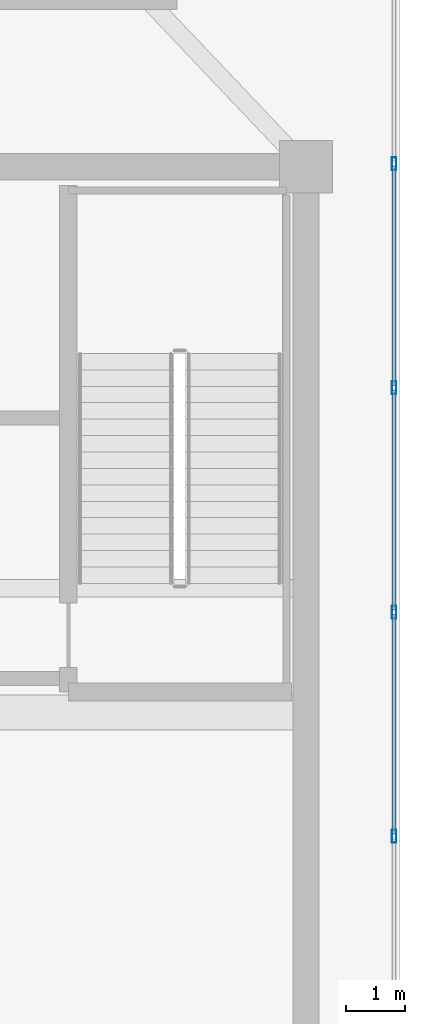
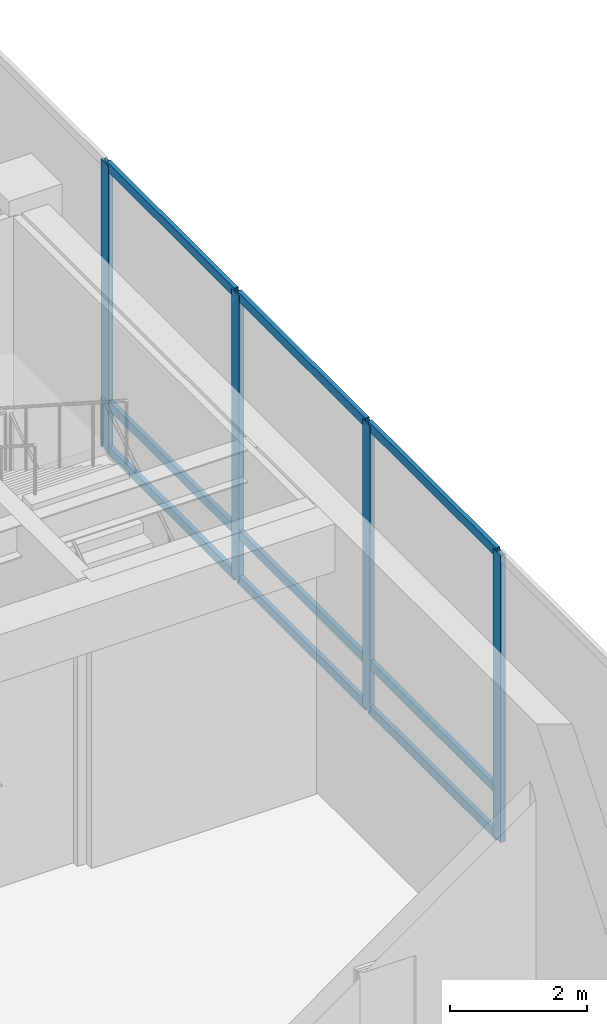
# One storey, part 17 of 30: 13 members, 1 element without a shape of its own.
"""IFC4 building model written with IfcOpenShell, lengths in metres."""

import ifcopenshell
import ifcopenshell.guid

model = None  # the IFC model being written
_history = None  # IfcOwnerHistory: only IFC2X3 demands one
_inside = {}  # id of a spatial element -> (the spatial element, [elements in it])
_under = {}  # id of a project, library or spatial element -> (it, [spatial elements below it])
_declared = {}  # id of a project -> (the project, [libraries it declares])
_typed = {}  # id of a type object -> (the type object, [elements of that type])
_made_of = {}  # id of a material, layer set ... -> (it, [elements and type objects made of it])


def new_model(schema):
    """Start an empty IFC model of exactly this schema.

    Asked for "IFC4X3", IfcOpenShell would pick the latest addendum, in which some entities
    have other attributes; the version numbers below select the first issue.
    IFC2X3 requires an IfcOwnerHistory on every rooted entity: one is made here for all.
    """
    global model, _history
    if schema == "IFC4X3":
        model = ifcopenshell.file(schema_version=(4, 3, 0, 0))
    else:
        model = ifcopenshell.file(schema=schema)
    _inside.clear()
    _under.clear()
    _declared.clear()
    _typed.clear()
    _made_of.clear()
    _history = None
    if model.schema == "IFC2X3":
        org = make("IfcOrganization", Name="unknown")
        user = make(
            "IfcPersonAndOrganization",
            ThePerson=make("IfcPerson", FamilyName="unknown"),
            TheOrganization=org,
        )
        app = make(
            "IfcApplication",
            ApplicationDeveloper=org,
            Version="unknown",
            ApplicationFullName="unknown",
            ApplicationIdentifier="unknown",
        )
        _history = make(
            "IfcOwnerHistory",
            OwningUser=user,
            OwningApplication=app,
            ChangeAction="ADDED",
            CreationDate=0,
        )
    return model


def make(cls, **values):
    """One entity of the class cls with the attributes given. An attribute that is None is left unset."""
    return model.create_entity(
        cls, **{name: value for name, value in values.items() if value is not None}
    )


def rooted(cls, **values):
    """An entity with a GlobalId (a new one), such as an element, a storey or a relation."""
    return make(cls, GlobalId=ifcopenshell.guid.new(), OwnerHistory=_history, **values)


def si_unit(unit_type, name, prefix=None):
    """IfcSIUnit, for example si_unit("LENGTHUNIT", "METRE", prefix="MILLI")."""
    return make("IfcSIUnit", UnitType=unit_type, Prefix=prefix, Name=name)


def assignment(units):
    """IfcUnitAssignment: the units of a project."""
    return None if units is None else make("IfcUnitAssignment", Units=units)


def point(xyz):
    """IfcCartesianPoint."""
    return None if xyz is None else make("IfcCartesianPoint", Coordinates=xyz)


def direction(xyz):
    """IfcDirection."""
    return None if xyz is None else make("IfcDirection", DirectionRatios=xyz)


def frame(location, z_axis=None, x_axis=None):
    """IfcAxis2Placement3D, a coordinate frame: its origin and axes. An axis left out is left unset."""
    return make(
        "IfcAxis2Placement3D",
        Location=point(location),
        Axis=direction(z_axis),
        RefDirection=direction(x_axis),
    )


def frame_2d(location, x_axis=None):
    """IfcAxis2Placement2D, a coordinate frame in the plane: its origin and x axis."""
    return make(
        "IfcAxis2Placement2D", Location=point(location), RefDirection=direction(x_axis)
    )


def origin():
    """The frame at (0, 0, 0) with its axes left unset."""
    return frame((0.0, 0.0, 0.0))


def origin_2d():
    """The frame at (0, 0) in the plane with its x axis left unset."""
    return frame_2d((0.0, 0.0))


def place(relative_to, where):
    """IfcLocalPlacement: puts the frame where relative to a parent placement (None: the world)."""
    return make(
        "IfcLocalPlacement", PlacementRelTo=relative_to, RelativePlacement=where
    )


def context(
    kind, dimensions, precision=None, world=None, true_north=None, identifier=None
):
    """IfcGeometricRepresentationContext, for example the 3D "Model" context."""
    return make(
        "IfcGeometricRepresentationContext",
        ContextIdentifier=identifier,
        ContextType=kind,
        CoordinateSpaceDimension=dimensions,
        Precision=precision,
        WorldCoordinateSystem=world,
        TrueNorth=true_north,
    )


def subcontext(parent, identifier, kind, view, scale=None):
    """IfcGeometricRepresentationSubContext, for example "Body" below "Model"."""
    return make(
        "IfcGeometricRepresentationSubContext",
        ContextIdentifier=identifier,
        ContextType=kind,
        ParentContext=parent,
        TargetScale=scale,
        TargetView=view,
    )


def project(units=None, contexts=None):
    """IfcProject with its units and contexts."""
    return rooted(
        "IfcProject",
        Name="project",
        RepresentationContexts=contexts,
        UnitsInContext=assignment(units),
    )


def spatial(cls, under=None, at=None, **own):
    """A site, building, storey or space (cls), placed at a placement, below another one or the project."""
    s = rooted(cls, ObjectPlacement=at, **own)
    if under is not None:
        _under.setdefault(under.id(), (under, []))[1].append(s)
    return s


def profile(cls, at=None, kind="AREA", **sizes):
    """A parametric profile (cls). Its sizes go by their IFC names, for example OverallWidth=200.0."""
    return make(cls, ProfileType=kind, Position=at, **sizes)


def hollow_rectangle(**sizes):
    """IfcRectangleHollowProfileDef."""
    return profile("IfcRectangleHollowProfileDef", **sizes)


def extrude(swept, where, along, depth):
    """IfcExtrudedAreaSolid: the profile swept, set in the frame where, extruded along a direction by depth."""
    return make(
        "IfcExtrudedAreaSolid",
        SweptArea=swept,
        Position=where,
        ExtrudedDirection=direction(along),
        Depth=depth,
    )


def shape(context_of_items, identifier, shape_type, items):
    """IfcShapeRepresentation: the items that make up one representation, for example the "Body"."""
    return make(
        "IfcShapeRepresentation",
        ContextOfItems=context_of_items,
        RepresentationIdentifier=identifier,
        RepresentationType=shape_type,
        Items=items,
    )


def source(mapping_origin, context_of_items, identifier, shape_type, items):
    """IfcRepresentationMap: a shape defined once, which mapped items show again and again."""
    return make(
        "IfcRepresentationMap",
        MappingOrigin=mapping_origin,
        MappedRepresentation=shape(context_of_items, identifier, shape_type, items),
    )


def transform(
    local_origin,
    x_axis=None,
    y_axis=None,
    z_axis=None,
    scale=None,
    scale2=None,
    scale3=None,
    uniform=True,
):
    """IfcCartesianTransformationOperator3D, or its non-uniform kind. x_axis, y_axis, z_axis: its Axis1, 2, 3."""
    if uniform:
        return make(
            "IfcCartesianTransformationOperator3D",
            Axis1=direction(x_axis),
            Axis2=direction(y_axis),
            LocalOrigin=point(local_origin),
            Scale=scale,
            Axis3=direction(z_axis),
        )
    return make(
        "IfcCartesianTransformationOperator3DnonUniform",
        Axis1=direction(x_axis),
        Axis2=direction(y_axis),
        LocalOrigin=point(local_origin),
        Scale=scale,
        Axis3=direction(z_axis),
        Scale2=scale2,
        Scale3=scale3,
    )


def mapped(mapping_source, mapping_target):
    """IfcMappedItem: shows the shape of a source again, moved by a transform."""
    return make(
        "IfcMappedItem", MappingSource=mapping_source, MappingTarget=mapping_target
    )


def material(Name=None, Category=None):
    """IfcMaterial."""
    return make("IfcMaterial", Name=Name, Category=Category)


def layer(
    of_material, thickness, ventilated=None, Name=None, Category=None, Priority=None
):
    """IfcMaterialLayer: one layer of a wall or slab, of a material (None: an air gap)."""
    return make(
        "IfcMaterialLayer",
        Material=of_material,
        LayerThickness=thickness,
        IsVentilated=ventilated,
        Name=Name,
        Category=Category,
        Priority=Priority,
    )


def layer_set(layers, Name=None):
    """IfcMaterialLayerSet."""
    return make("IfcMaterialLayerSet", MaterialLayers=layers, LayerSetName=Name)


def material_profile(
    of_material, cross_section, Name=None, Category=None, Priority=None
):
    """IfcMaterialProfile: a cross section and its material."""
    return make(
        "IfcMaterialProfile",
        Name=Name,
        Material=of_material,
        Profile=cross_section,
        Priority=Priority,
        Category=Category,
    )


def profile_set(profiles, Name=None, composite=None):
    """IfcMaterialProfileSet."""
    return make(
        "IfcMaterialProfileSet",
        Name=Name,
        MaterialProfiles=profiles,
        CompositeProfile=composite,
    )


def made_of(thing, what):
    """Note that an element or type object is made of a material, layer set ...; save() writes the relation."""
    if what is not None:
        _made_of.setdefault(what.id(), (what, []))[1].append(thing)
    return thing


def type_object(cls, material=None, **own):
    """A type object (cls), such as IfcWallType, which elements share."""
    return made_of(rooted(cls, **own), material)


def type_shapes(of_type, sources):
    """Give a type object the sources (RepresentationMaps) that its elements show as mapped items."""
    of_type.RepresentationMaps = sources


def element(
    cls,
    number,
    at=None,
    inside=None,
    cuts=None,
    type_object=None,
    material=None,
    context=None,
    identifier="Body",
    shape_type=None,
    held_by="IfcProductDefinitionShape",
    body=None,
    shapes=None,
    **own,
):
    """One element of the class cls, such as IfcWall. Its Tag is "e" and its number.

    at: its placement. inside: the storey or other place that contains it. cuts: it is an
    opening in that element (IfcRelVoidsElement). A single representation is given by context,
    identifier, shape_type and body (its items); several are given by shapes. held_by: the class
    of the entity that holds the representations. save() writes the other relations.
    """
    e = rooted(cls, Tag="e%d" % number, ObjectPlacement=at, **own)
    if body is not None:
        shapes = [shape(context, identifier, shape_type, body)]
    if shapes is not None:
        e.Representation = make(held_by, Representations=shapes)
    if inside is not None:
        _inside.setdefault(inside.id(), (inside, []))[1].append(e)
    if cuts is not None:
        rooted(
            "IfcRelVoidsElement", RelatingBuildingElement=cuts, RelatedOpeningElement=e
        )
    if type_object is not None:
        _typed.setdefault(type_object.id(), (type_object, []))[1].append(e)
    return made_of(e, material)


def aggregate(whole, parts):
    """IfcRelAggregates: a whole, such as a stair, and the parts it consists of."""
    return rooted("IfcRelAggregates", RelatingObject=whole, RelatedObjects=parts)


def save(model, path):
    """Write the relations noted so far, then the file.

    IfcRelAggregates (storeys below a building ...), IfcRelContainedInSpatialStructure (elements
    in a storey), IfcRelDefinesByType, IfcRelAssociatesMaterial and IfcRelDeclares: one each for
    every whole, place, type object, material and project.
    """
    for whole, parts in _under.values():
        aggregate(whole, parts)
    for where, things in _inside.values():
        rooted(
            "IfcRelContainedInSpatialStructure",
            RelatedElements=things,
            RelatingStructure=where,
        )
    for kind, things in _typed.values():
        rooted("IfcRelDefinesByType", RelatedObjects=things, RelatingType=kind)
    for what, things in _made_of.values():
        rooted("IfcRelAssociatesMaterial", RelatedObjects=things, RelatingMaterial=what)
    for by, libraries in _declared.values():
        rooted("IfcRelDeclares", RelatingContext=by, RelatedDefinitions=libraries)
    model.write(path)


model = new_model("IFC4")

# Units and contexts
model_context = context("Model", 3, precision=1e-05, world=origin(), true_north=direction((0.0, 1.0)))
body_context = subcontext(model_context, "Body", "Model", "MODEL_VIEW")
ifc_project = project(units=[si_unit("LENGTHUNIT", "METRE"), si_unit("AREAUNIT", "SQUARE_METRE"), si_unit("VOLUMEUNIT", "CUBIC_METRE"), si_unit("PLANEANGLEUNIT", "RADIAN"), si_unit("MASSUNIT", "GRAM", prefix="KILO")], contexts=[model_context])

# Site, building, storey
site_placement = place(None, origin())
site = spatial("IfcSite", under=ifc_project, at=site_placement, CompositionType="ELEMENT")
building_placement = place(site_placement, origin())
building = spatial("IfcBuilding", under=site, at=building_placement, Name="Haelvirn Gate Laboratories", CompositionType="ELEMENT")
storey_placement = place(building_placement, frame((0.0, 0.0, 332.39990234375)))
storey = spatial("IfcBuildingStorey", under=building, at=storey_placement, Name="L79", CompositionType="ELEMENT", Elevation=332.39990234375)

# Curtain wall, members
ifc_material_1 = material(Name="Anodised bronze unitised aluminium & triple low-E glass", Category="aluminium")
ifc_layer = layer(ifc_material_1, 0.19189453125, Name="CW-SYS-6")
ifc_layer_set = layer_set([ifc_layer], Name="Anodised bronze unitised aluminium & triple low-E glass")
curtain_wall_type = type_object("IfcCurtainWallType", Name="CW-SYS-6", PredefinedType="NOTDEFINED", material=ifc_layer_set)
curtain_wall_placement = place(storey_placement, origin())
curtain_wall = element("IfcCurtainWall", 1, at=curtain_wall_placement, inside=storey, type_object=curtain_wall_type, Name="L79 Unitised Curtain Wall CW-L79-P0-E07", PredefinedType="NOTDEFINED")
ifc_material_2 = material(Name="Extruded aluminium 6063-T6 (anodised bronze)", Category="aluminium")
ifc_material_profile_1 = material_profile(ifc_material_2, hollow_rectangle(XDim=0.080078125, YDim=0.219970703125, WallThickness=0.006103515625, at=origin_2d()), Name="CWM-220x80x6")
ifc_profile_set_1 = profile_set([ifc_material_profile_1], Name="Extruded aluminium 6063-T6 (anodised bronze)")
member_type_1 = type_object("IfcMemberType", Name="CWM-T220", PredefinedType="MULLION", material=ifc_profile_set_1)
shared_shape_1 = source(origin(), body_context, "Body", "SweptSolid", [
    extrude(hollow_rectangle(XDim=0.080078125, YDim=0.219970703125, WallThickness=0.006103515625, at=origin_2d()), origin(), (0.0, 0.0, 1.0), 5.1201171875),
])
type_shapes(member_type_1, [shared_shape_1])
member_1_placement = place(storey_placement, frame((68.89990234375, 22.388916015625, 0.0), z_axis=(0.0, 0.0, 1.0), x_axis=(-1.0, 0.0, 0.0)))
member_1 = element("IfcMember", 2, at=member_1_placement, type_object=member_type_1, Name="CW6 mullion 5", PredefinedType="MULLION", context=body_context, shape_type="MappedRepresentation", body=[
    mapped(shared_shape_1, transform((0.0, 0.0, 0.0), scale=1.0)),
])
member_2_placement = place(storey_placement, frame((68.89990234375, 26.211181640625, 0.0), z_axis=(0.0, 0.0, 1.0), x_axis=(-1.0, 0.0, 0.0)))
member_2 = element("IfcMember", 3, at=member_2_placement, type_object=member_type_1, Name="CW6 mullion 6", PredefinedType="MULLION", context=body_context, shape_type="MappedRepresentation", body=[
    mapped(shared_shape_1, transform((0.0, 0.0, 0.0), scale=1.0)),
])
member_3_placement = place(storey_placement, frame((68.89990234375, 30.033447265625, 0.0), z_axis=(0.0, 0.0, 1.0), x_axis=(-1.0, 0.0, 0.0)))
member_3 = element("IfcMember", 4, at=member_3_placement, type_object=member_type_1, Name="CW6 mullion 7", PredefinedType="MULLION", context=body_context, shape_type="MappedRepresentation", body=[
    mapped(shared_shape_1, transform((0.0, 0.0, 0.0), scale=1.0)),
])
member_4_placement = place(storey_placement, frame((68.89990234375, 33.85546875, 0.0), z_axis=(0.0, 0.0, 1.0), x_axis=(-1.0, 0.0, 0.0)))
member_4 = element("IfcMember", 5, at=member_4_placement, type_object=member_type_1, Name="CW6 mullion 8", PredefinedType="MULLION", context=body_context, shape_type="MappedRepresentation", body=[
    mapped(shared_shape_1, transform((0.0, 0.0, 0.0), scale=1.0)),
])
ifc_material_profile_2 = material_profile(ifc_material_2, hollow_rectangle(XDim=0.070068359375, YDim=0.159912109375, WallThickness=0.0048828125, at=origin_2d()), Name="CWT-160x70x5")
ifc_profile_set_2 = profile_set([ifc_material_profile_2], Name="Extruded aluminium 6063-T6 (anodised bronze)")
member_type_2 = type_object("IfcMemberType", Name="CWT-T160", PredefinedType="USERDEFINED", material=ifc_profile_set_2)
shared_shape_2 = source(origin(), body_context, "Body", "SweptSolid", [
    extrude(hollow_rectangle(XDim=0.070068359375, YDim=0.159912109375, WallThickness=0.0048828125, at=origin_2d()), origin(), (0.0, 0.0, 1.0), 3.7421875),
])
member_5_placement = place(storey_placement, frame((68.89990234375, 22.428955078125, 0.03515625), z_axis=(0.0, 1.0, 0.0), x_axis=(-1.0, 0.0, 0.0)))
member_5 = element("IfcMember", 6, at=member_5_placement, type_object=member_type_2, Name="CW6 transom 5.1", ObjectType="TRANSOM", PredefinedType="USERDEFINED", context=body_context, shape_type="MappedRepresentation", body=[
    mapped(shared_shape_2, transform((0.0, 0.0, 0.0), scale=1.0)),
])
member_6_placement = place(storey_placement, frame((68.89990234375, 22.428955078125, 0.85009765625), z_axis=(0.0, 1.0, 0.0), x_axis=(-1.0, 0.0, 0.0)))
member_6 = element("IfcMember", 7, at=member_6_placement, type_object=member_type_2, Name="CW6 transom 5.2", ObjectType="TRANSOM", PredefinedType="USERDEFINED", context=body_context, shape_type="MappedRepresentation", body=[
    mapped(shared_shape_2, transform((0.0, 0.0, 0.0), scale=1.0)),
])
member_7_placement = place(storey_placement, frame((68.89990234375, 22.428955078125, 5.085205078125), z_axis=(0.0, 1.0, 0.0), x_axis=(-1.0, 0.0, 0.0)))
member_7 = element("IfcMember", 8, at=member_7_placement, type_object=member_type_2, Name="CW6 transom 5.3", ObjectType="TRANSOM", PredefinedType="USERDEFINED", context=body_context, shape_type="MappedRepresentation", body=[
    mapped(shared_shape_2, transform((0.0, 0.0, 0.0), scale=1.0)),
])
member_8_placement = place(storey_placement, frame((68.89990234375, 26.251220703125, 0.03515625), z_axis=(0.0, 1.0, 0.0), x_axis=(-1.0, 0.0, 0.0)))
member_8 = element("IfcMember", 9, at=member_8_placement, type_object=member_type_2, Name="CW6 transom 6.1", ObjectType="TRANSOM", PredefinedType="USERDEFINED", context=body_context, shape_type="MappedRepresentation", body=[
    mapped(shared_shape_2, transform((0.0, 0.0, 0.0), scale=1.0)),
])
member_9_placement = place(storey_placement, frame((68.89990234375, 26.251220703125, 0.85009765625), z_axis=(0.0, 1.0, 0.0), x_axis=(-1.0, 0.0, 0.0)))
member_9 = element("IfcMember", 10, at=member_9_placement, type_object=member_type_2, Name="CW6 transom 6.2", ObjectType="TRANSOM", PredefinedType="USERDEFINED", context=body_context, shape_type="MappedRepresentation", body=[
    mapped(shared_shape_2, transform((0.0, 0.0, 0.0), scale=1.0)),
])
member_10_placement = place(storey_placement, frame((68.89990234375, 26.251220703125, 5.085205078125), z_axis=(0.0, 1.0, 0.0), x_axis=(-1.0, 0.0, 0.0)))
member_10 = element("IfcMember", 11, at=member_10_placement, type_object=member_type_2, Name="CW6 transom 6.3", ObjectType="TRANSOM", PredefinedType="USERDEFINED", context=body_context, shape_type="MappedRepresentation", body=[
    mapped(shared_shape_2, transform((0.0, 0.0, 0.0), scale=1.0)),
])
shared_shape_3 = source(origin(), body_context, "Body", "SweptSolid", [
    extrude(hollow_rectangle(XDim=0.070068359375, YDim=0.159912109375, WallThickness=0.0048828125, at=origin_2d()), origin(), (0.0, 0.0, 1.0), 3.742431640625),
])
type_shapes(member_type_2, [shared_shape_2, shared_shape_3])
member_11_placement = place(storey_placement, frame((68.89990234375, 30.0732421875, 0.03515625), z_axis=(0.0, 1.0, 0.0), x_axis=(-1.0, 0.0, 0.0)))
member_11 = element("IfcMember", 12, at=member_11_placement, type_object=member_type_2, Name="CW6 transom 7.1", ObjectType="TRANSOM", PredefinedType="USERDEFINED", context=body_context, shape_type="MappedRepresentation", body=[
    mapped(shared_shape_3, transform((0.0, 0.0, 0.0), scale=1.0)),
])
member_12_placement = place(storey_placement, frame((68.89990234375, 30.0732421875, 0.85009765625), z_axis=(0.0, 1.0, 0.0), x_axis=(-1.0, 0.0, 0.0)))
member_12 = element("IfcMember", 13, at=member_12_placement, type_object=member_type_2, Name="CW6 transom 7.2", ObjectType="TRANSOM", PredefinedType="USERDEFINED", context=body_context, shape_type="MappedRepresentation", body=[
    mapped(shared_shape_3, transform((0.0, 0.0, 0.0), scale=1.0)),
])
member_13_placement = place(storey_placement, frame((68.89990234375, 30.0732421875, 5.085205078125), z_axis=(0.0, 1.0, 0.0), x_axis=(-1.0, 0.0, 0.0)))
member_13 = element("IfcMember", 14, at=member_13_placement, type_object=member_type_2, Name="CW6 transom 7.3", ObjectType="TRANSOM", PredefinedType="USERDEFINED", context=body_context, shape_type="MappedRepresentation", body=[
    mapped(shared_shape_3, transform((0.0, 0.0, 0.0), scale=1.0)),
])
aggregate(curtain_wall, [member_1, member_2, member_3, member_4, member_5, member_6, member_7, member_8, member_9, member_10, member_11, member_12, member_13])

save(model, "model.ifc")
